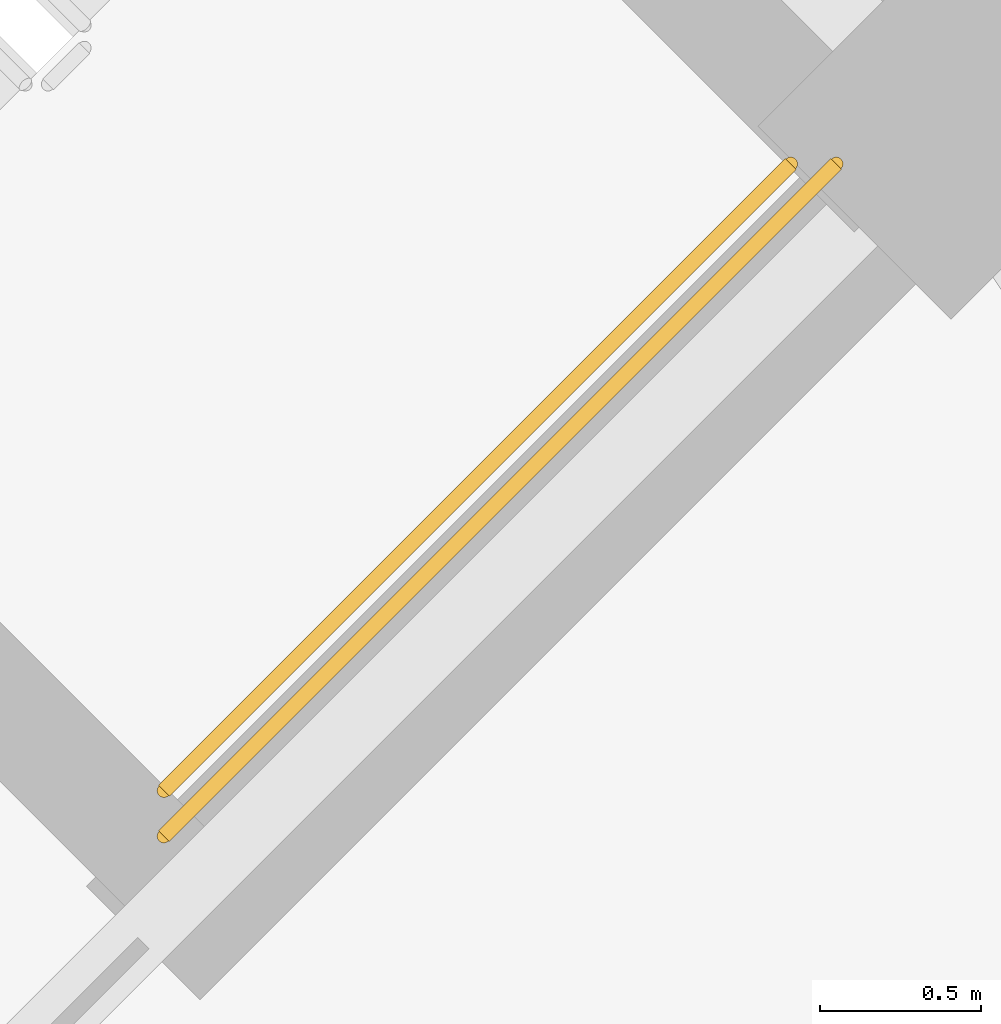
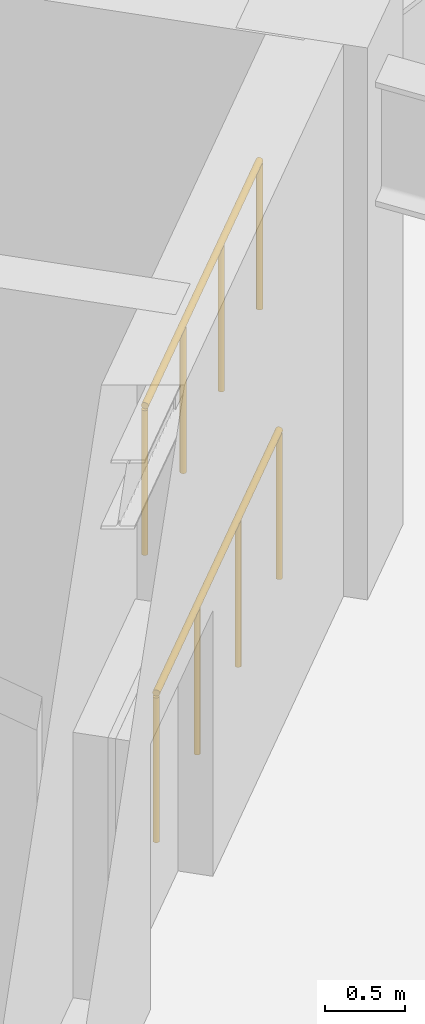
# One storey, part 20 of 20: 2 railings.
"""IFC4 building model written with IfcOpenShell, lengths in metres."""

from ifc_helpers import new_model, si_unit, direction, frame, origin, origin_2d, place, context, subcontext, project, spatial, circle, extrude, material, type_object, element, save


model = new_model("IFC4")

# Units and contexts
model_context = context("Model", 3, precision=1e-05, world=origin(), true_north=direction((0.0, 1.0)))
body_context = subcontext(model_context, "Body", "Model", "MODEL_VIEW")
ifc_project = project(units=[si_unit("LENGTHUNIT", "METRE"), si_unit("AREAUNIT", "SQUARE_METRE"), si_unit("VOLUMEUNIT", "CUBIC_METRE"), si_unit("PLANEANGLEUNIT", "RADIAN"), si_unit("MASSUNIT", "GRAM", prefix="KILO")], contexts=[model_context])

# Site, building, storey
site_placement = place(None, origin())
site = spatial("IfcSite", under=ifc_project, at=site_placement, CompositionType="ELEMENT")
building_placement = place(site_placement, origin())
building = spatial("IfcBuilding", under=site, at=building_placement, Name="Cununo Teusaquillo Station Towers", CompositionType="ELEMENT")
storey_placement = place(building_placement, frame((0.0, 0.0, 13.199951171875)))
storey = spatial("IfcBuildingStorey", under=building, at=storey_placement, Name="L03", CompositionType="ELEMENT", Elevation=13.199951171875)

# Railings
ifc_material = material(Name="Steel EN 10025-2 S355J2", Category="steel")
railing_type = type_object("IfcRailingType", Name="RL-INT-GUARD", PredefinedType="GUARDRAIL", material=ifc_material)
railing_1_placement = place(storey_placement, frame((63.573974609375, 21.22607421875, 2.10009765625)))
element("IfcRailing", 1, at=railing_1_placement, inside=storey, type_object=railing_type, Name="L03 ST-T2-2 stair guard 3", PredefinedType="GUARDRAIL", context=body_context, shape_type="SweptSolid", body=[
    extrude(circle(Radius=0.02392578125, at=origin_2d()), frame((0.0, 0.0, 1.1259765625), z_axis=(0.707106781187, 0.707106781187, 0.0), x_axis=(-0.707106781187, 0.707106781187, 0.0)), (0.0, 0.0, 1.0), 2.760009765625),
    extrude(circle(Radius=0.02099609375, at=origin_2d()), origin(), (0.0, 0.0, 1.0), 1.101806640625),
    extrude(circle(Radius=0.02099609375, at=origin_2d()), frame((0.650634765625, 0.650634765625, 0.0)), (0.0, 0.0, 1.0), 1.101806640625),
    extrude(circle(Radius=0.02099609375, at=origin_2d()), frame((1.301025390625, 1.301025390625, 0.0)), (0.0, 0.0, 1.0), 1.101806640625),
    extrude(circle(Radius=0.02099609375, at=origin_2d()), frame((1.95166015625, 1.95166015625, 0.0)), (0.0, 0.0, 1.0), 1.101806640625),
])
railing_2_placement = place(storey_placement, frame((63.573974609375, 21.084716796875, 0.0)))
element("IfcRailing", 2, at=railing_2_placement, inside=storey, type_object=railing_type, Name="L03 ST-T2-2 stair guard 6", PredefinedType="GUARDRAIL", context=body_context, shape_type="SweptSolid", body=[
    extrude(circle(Radius=0.02392578125, at=origin_2d()), frame((0.0, 0.0, 1.1259765625), z_axis=(0.707106781187, 0.707106781187, 0.0), x_axis=(-0.707106781187, 0.707106781187, 0.0)), (0.0, 0.0, 1.0), 2.9599609375),
    extrude(circle(Radius=0.02099609375, at=origin_2d()), origin(), (0.0, 0.0, 1.0), 1.101806640625),
    extrude(circle(Radius=0.02099609375, at=origin_2d()), frame((0.69775390625, 0.69775390625, 0.0)), (0.0, 0.0, 1.0), 1.101806640625),
    extrude(circle(Radius=0.02099609375, at=origin_2d()), frame((1.395263671875, 1.395263671875, 0.0)), (0.0, 0.0, 1.0), 1.101806640625),
    extrude(circle(Radius=0.02099609375, at=origin_2d()), frame((2.093017578125, 2.093017578125, 0.0)), (0.0, 0.0, 1.0), 1.101806640625),
])

save(model, "model.ifc")
